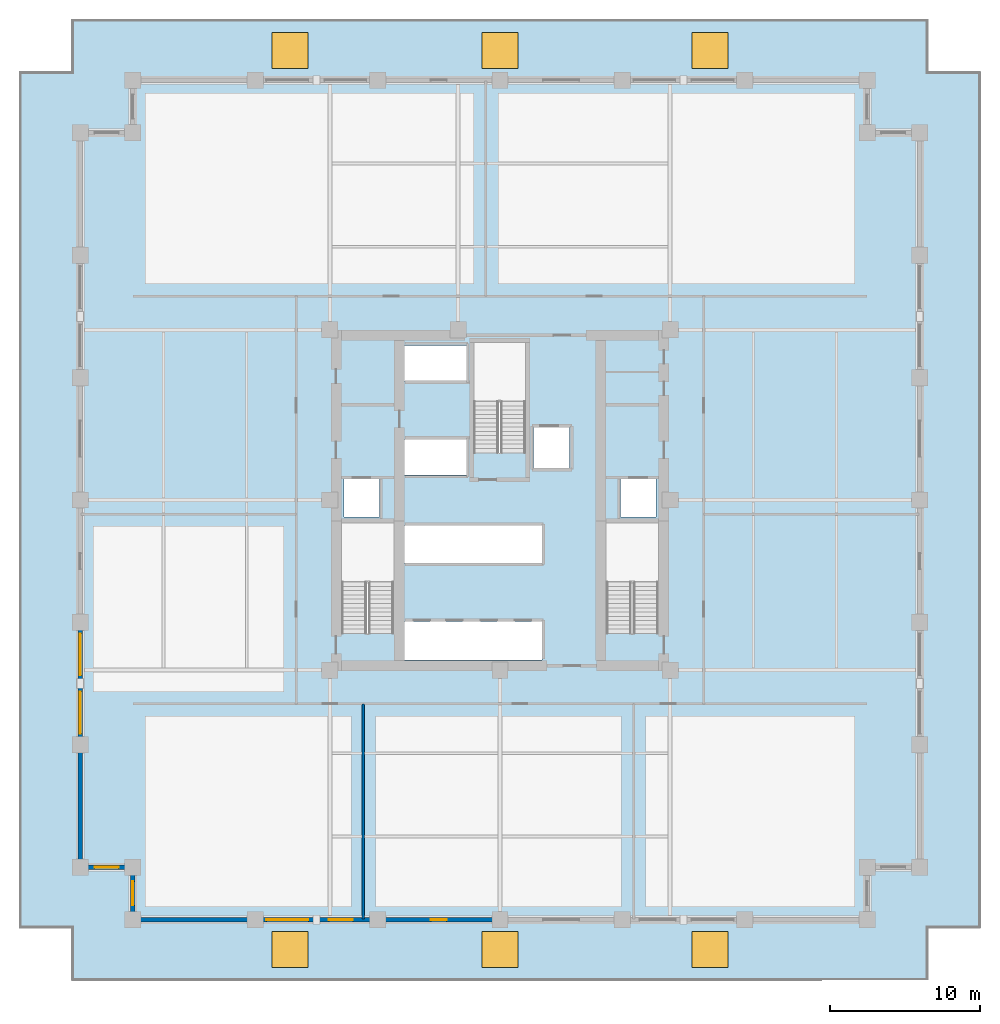
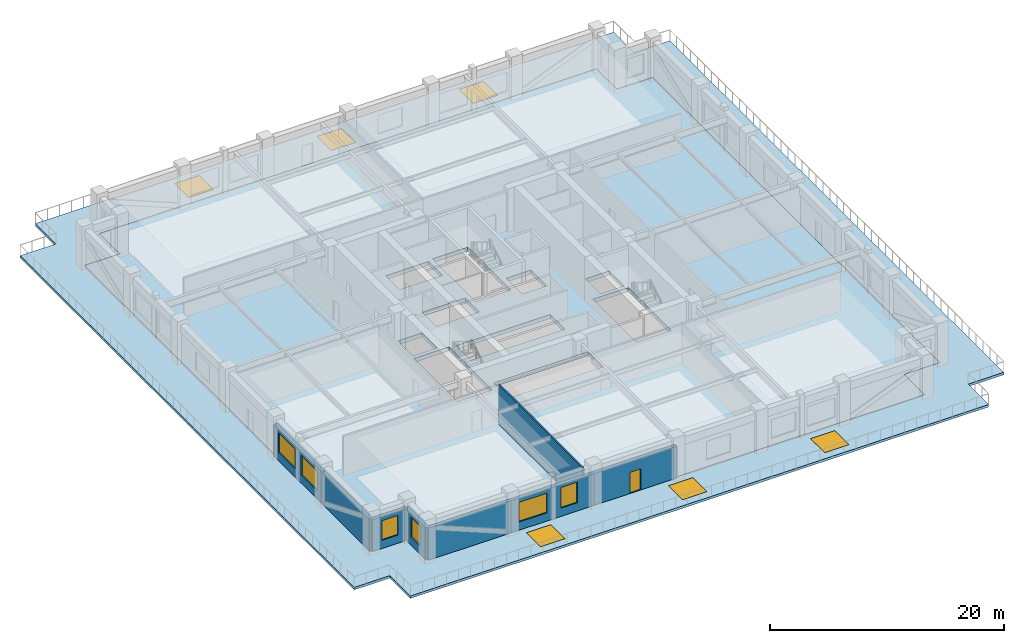
# One storey, part 2 of 13: 12 windows, 8 walls, 2 slabs, 1 door, 13 openings.
"""IFC4 building model written with IfcOpenShell, lengths in metres."""

from ifc_helpers import new_model, si_unit, direction, frame, frame_2d, origin, origin_2d, place, context, subcontext, project, spatial, polyline, rectangle, outline, extrude, material, layer, layer_set, type_object, element, fill, save


model = new_model("IFC4")

# Units and contexts
model_context = context("Model", 3, precision=1e-05, world=origin(), true_north=direction((0.0, 1.0)))
body_context = subcontext(model_context, "Body", "Model", "MODEL_VIEW")
ifc_project = project(units=[si_unit("LENGTHUNIT", "METRE"), si_unit("AREAUNIT", "SQUARE_METRE"), si_unit("VOLUMEUNIT", "CUBIC_METRE"), si_unit("PLANEANGLEUNIT", "RADIAN"), si_unit("MASSUNIT", "GRAM", prefix="KILO")], contexts=[model_context])

# Site, building, storey
site_placement = place(None, origin())
site = spatial("IfcSite", under=ifc_project, at=site_placement, CompositionType="ELEMENT")
building_placement = place(site_placement, origin())
building = spatial("IfcBuilding", under=site, at=building_placement, Name="Nhamokura Convention Tower", CompositionType="ELEMENT")
storey_placement = place(building_placement, frame((0.0, 0.0, 34.300048828125)))
storey = spatial("IfcBuildingStorey", under=building, at=storey_placement, Name="L06", CompositionType="ELEMENT", Elevation=34.300048828125)

# Slab, openings, windows
ifc_material_1 = material(Name="Concrete C40/50", Category="concrete")
ifc_layer_1 = layer(ifc_material_1, 0.25)
ifc_layer_set_1 = layer_set([ifc_layer_1], Name="TerraceRoofSlab_250")
slab_type_1 = type_object("IfcSlabType", Name="TerraceRoofSlab_250", PredefinedType="ROOF", material=ifc_layer_set_1)
slab_1_placement = place(storey_placement, frame((0.0, 0.0, -0.25)))
slab_1 = element("IfcSlab", 1, at=slab_1_placement, inside=storey, type_object=slab_type_1, Name="L06 Setback Terrace Roof Slab", PredefinedType="ROOF", context=body_context, shape_type="SweptSolid", body=[
    extrude(outline(polyline([(3.5, 0.0), (60.5, 0.0), (60.5, 3.5), (64.0, 3.5), (64.0, 60.5), (60.5, 60.5), (60.5, 64.0), (3.5, 64.0), (3.5, 60.5), (0.0, 60.5), (0.0, 3.5), (3.5, 3.5), (3.5, 0.0)]), holes=[polyline([(7.5, 4.0), (56.5, 4.0), (56.5, 7.5), (60.0, 7.5), (60.0, 56.5), (56.5, 56.5), (56.5, 60.0), (7.5, 60.0), (7.5, 56.5), (4.0, 56.5), (4.0, 7.5), (7.5, 7.5), (7.5, 4.0)])]), origin(), (0.0, 0.0, 1.0), 0.25),
])
opening_1_placement = place(slab_1_placement, frame((18.0, 2.0, 0.0)))
opening_1 = element("IfcOpeningElement", 2, at=opening_1_placement, cuts=slab_1, Name="Opening SK-01", PredefinedType="OPENING", context=body_context, shape_type="SweptSolid", body=[
    extrude(rectangle(XDim=2.39990234375, YDim=2.39990234375, at=origin_2d()), origin(), (0.0, 0.0, 1.0), 0.25),
])
opening_2_placement = place(slab_1_placement, frame((32.0, 2.0, 0.0)))
opening_2 = element("IfcOpeningElement", 3, at=opening_2_placement, cuts=slab_1, Name="Opening SK-01", PredefinedType="OPENING", context=body_context, shape_type="SweptSolid", body=[
    extrude(rectangle(XDim=2.39990234375, YDim=2.39990234375, at=origin_2d()), origin(), (0.0, 0.0, 1.0), 0.25),
])
opening_3_placement = place(slab_1_placement, frame((46.0, 2.0, 0.0)))
opening_3 = element("IfcOpeningElement", 4, at=opening_3_placement, cuts=slab_1, Name="Opening SK-01", PredefinedType="OPENING", context=body_context, shape_type="SweptSolid", body=[
    extrude(rectangle(XDim=2.39990234375, YDim=2.39990234375, at=origin_2d()), origin(), (0.0, 0.0, 1.0), 0.25),
])
opening_4_placement = place(slab_1_placement, frame((18.0, 62.0, 0.0)))
opening_4 = element("IfcOpeningElement", 5, at=opening_4_placement, cuts=slab_1, Name="Opening SK-01", PredefinedType="OPENING", context=body_context, shape_type="SweptSolid", body=[
    extrude(rectangle(XDim=2.39990234375, YDim=2.39990234375, at=origin_2d()), origin(), (0.0, 0.0, 1.0), 0.25),
])
opening_5_placement = place(slab_1_placement, frame((32.0, 62.0, 0.0)))
opening_5 = element("IfcOpeningElement", 6, at=opening_5_placement, cuts=slab_1, Name="Opening SK-01", PredefinedType="OPENING", context=body_context, shape_type="SweptSolid", body=[
    extrude(rectangle(XDim=2.39990234375, YDim=2.39990234375, at=origin_2d()), origin(), (0.0, 0.0, 1.0), 0.25),
])
opening_6_placement = place(slab_1_placement, frame((46.0, 62.0, 0.0)))
opening_6 = element("IfcOpeningElement", 7, at=opening_6_placement, cuts=slab_1, Name="Opening SK-01", PredefinedType="OPENING", context=body_context, shape_type="SweptSolid", body=[
    extrude(rectangle(XDim=2.39990234375, YDim=2.39990234375, at=origin_2d()), origin(), (0.0, 0.0, 1.0), 0.25),
])
ifc_material_2 = material(Name="Solar-control bronze low-E double glass", Category="glass")
window_type_1 = type_object("IfcWindowType", Name="PodiumTerraceSkylight_2400", PartitioningType="SINGLE_PANEL", PredefinedType="SKYLIGHT", material=ifc_material_2)
window_1_placement = place(opening_1_placement, frame((0.0, 0.0, 0.199951171875)))
window_1 = element("IfcWindow", 8, at=window_1_placement, inside=storey, type_object=window_type_1, Name="L06 Podium Roof Skylight 01", OverallHeight=2.39990234375, OverallWidth=2.39990234375, PartitioningType="SINGLE_PANEL", PredefinedType="SKYLIGHT", context=body_context, shape_type="SweptSolid", body=[
    extrude(rectangle(XDim=2.39990234375, YDim=2.39990234375, at=origin_2d()), origin(), (0.0, 0.0, 1.0), 0.050048828125),
])
fill(opening_1, window_1)
window_2_placement = place(opening_2_placement, frame((0.0, 0.0, 0.199951171875)))
window_2 = element("IfcWindow", 9, at=window_2_placement, inside=storey, type_object=window_type_1, Name="L06 Podium Roof Skylight 02", OverallHeight=2.39990234375, OverallWidth=2.39990234375, PartitioningType="SINGLE_PANEL", PredefinedType="SKYLIGHT", context=body_context, shape_type="SweptSolid", body=[
    extrude(rectangle(XDim=2.39990234375, YDim=2.39990234375, at=origin_2d()), origin(), (0.0, 0.0, 1.0), 0.050048828125),
])
fill(opening_2, window_2)
window_3_placement = place(opening_3_placement, frame((0.0, 0.0, 0.199951171875)))
window_3 = element("IfcWindow", 10, at=window_3_placement, inside=storey, type_object=window_type_1, Name="L06 Podium Roof Skylight 03", OverallHeight=2.39990234375, OverallWidth=2.39990234375, PartitioningType="SINGLE_PANEL", PredefinedType="SKYLIGHT", context=body_context, shape_type="SweptSolid", body=[
    extrude(rectangle(XDim=2.39990234375, YDim=2.39990234375, at=origin_2d()), origin(), (0.0, 0.0, 1.0), 0.050048828125),
])
fill(opening_3, window_3)
window_4_placement = place(opening_4_placement, frame((0.0, 0.0, 0.199951171875)))
window_4 = element("IfcWindow", 11, at=window_4_placement, inside=storey, type_object=window_type_1, Name="L06 Podium Roof Skylight 04", OverallHeight=2.39990234375, OverallWidth=2.39990234375, PartitioningType="SINGLE_PANEL", PredefinedType="SKYLIGHT", context=body_context, shape_type="SweptSolid", body=[
    extrude(rectangle(XDim=2.39990234375, YDim=2.39990234375, at=origin_2d()), origin(), (0.0, 0.0, 1.0), 0.050048828125),
])
fill(opening_4, window_4)
window_5_placement = place(opening_5_placement, frame((0.0, 0.0, 0.199951171875)))
window_5 = element("IfcWindow", 12, at=window_5_placement, inside=storey, type_object=window_type_1, Name="L06 Podium Roof Skylight 05", OverallHeight=2.39990234375, OverallWidth=2.39990234375, PartitioningType="SINGLE_PANEL", PredefinedType="SKYLIGHT", context=body_context, shape_type="SweptSolid", body=[
    extrude(rectangle(XDim=2.39990234375, YDim=2.39990234375, at=origin_2d()), origin(), (0.0, 0.0, 1.0), 0.050048828125),
])
fill(opening_5, window_5)
window_6_placement = place(opening_6_placement, frame((0.0, 0.0, 0.199951171875)))
window_6 = element("IfcWindow", 13, at=window_6_placement, inside=storey, type_object=window_type_1, Name="L06 Podium Roof Skylight 06", OverallHeight=2.39990234375, OverallWidth=2.39990234375, PartitioningType="SINGLE_PANEL", PredefinedType="SKYLIGHT", context=body_context, shape_type="SweptSolid", body=[
    extrude(rectangle(XDim=2.39990234375, YDim=2.39990234375, at=origin_2d()), origin(), (0.0, 0.0, 1.0), 0.050048828125),
])
fill(opening_6, window_6)

# Slab
ifc_material_3 = material(Name="Concrete C50/60", Category="concrete")
ifc_layer_2 = layer(ifc_material_3, 0.419921875)
ifc_layer_set_2 = layer_set([ifc_layer_2], Name="TransferDeckSlab_380")
slab_type_2 = type_object("IfcSlabType", Name="TransferDeckSlab_380", PredefinedType="FLOOR", material=ifc_layer_set_2)
slab_2_placement = place(storey_placement, frame((0.0, 0.0, -0.420166015625)))
element("IfcSlab", 14, at=slab_2_placement, inside=storey, type_object=slab_type_2, Name="L06 Structural Floor Slab", PredefinedType="FLOOR", context=body_context, shape_type="SweptSolid", body=[
    extrude(outline(polyline([(7.5, 4.0), (56.5, 4.0), (56.5, 7.5), (60.0, 7.5), (60.0, 56.5), (56.5, 56.5), (56.5, 60.0), (7.5, 60.0), (7.5, 56.5), (4.0, 56.5), (4.0, 7.5), (7.5, 7.5), (7.5, 4.0)]), holes=[polyline([(24.89990234375, 23.10009765625), (24.89990234375, 30.449951171875), (21.449951171875, 30.449951171875), (21.449951171875, 23.10009765625), (24.89990234375, 23.10009765625)]), polyline([(42.550048828125, 23.10009765625), (42.550048828125, 30.449951171875), (39.10009765625, 30.449951171875), (39.10009765625, 23.10009765625), (42.550048828125, 23.10009765625)]), polyline([(33.699951171875, 35.14990234375), (33.699951171875, 42.5), (30.25, 42.5), (30.25, 35.14990234375), (33.699951171875, 35.14990234375)]), polyline([(21.60009765625, 30.85009765625), (23.949951171875, 30.85009765625), (23.949951171875, 33.39990234375), (21.60009765625, 33.39990234375), (21.60009765625, 30.85009765625)]), polyline([(40.050048828125, 30.85009765625), (42.39990234375, 30.85009765625), (42.39990234375, 33.39990234375), (40.050048828125, 33.39990234375), (40.050048828125, 30.85009765625)]), polyline([(34.25, 34.14990234375), (36.64990234375, 34.14990234375), (36.64990234375, 36.85009765625), (34.25, 36.85009765625), (34.25, 34.14990234375)]), polyline([(25.52001953125, 21.320068359375), (34.800048828125, 21.320068359375), (34.800048828125, 23.89990234375), (25.52001953125, 23.89990234375), (25.52001953125, 21.320068359375)]), polyline([(25.52001953125, 27.800048828125), (34.800048828125, 27.800048828125), (34.800048828125, 30.300048828125), (25.52001953125, 30.300048828125), (25.52001953125, 27.800048828125)]), polyline([(25.52001953125, 33.679931640625), (29.75, 33.679931640625), (29.75, 36.050048828125), (25.52001953125, 36.050048828125), (25.52001953125, 33.679931640625)]), polyline([(25.52001953125, 39.949951171875), (29.75, 39.949951171875), (29.75, 42.320068359375), (25.52001953125, 42.320068359375), (25.52001953125, 39.949951171875)])]), origin(), (0.0, 0.0, 1.0), 0.420166015625),
])

# Wall
ifc_material_4 = material(Name="Bronze-pigmented precast concrete C45/55", Category="concrete")
ifc_layer_3 = layer(ifc_material_4, 0.320068359375)
ifc_layer_set_3 = layer_set([ifc_layer_3], Name="BronzePrecastSpandrel_320")
wall_type_1 = type_object("IfcWallType", Name="BronzePrecastSpandrel_320", PredefinedType="USERDEFINED", material=ifc_layer_set_3)
wall_1_placement = place(storey_placement, frame((15.666748046875, 4.0, 0.0), z_axis=(0.0, 0.0, 1.0), x_axis=(-1.0, 0.0, 0.0)))
element("IfcWall", 15, at=wall_1_placement, inside=storey, type_object=wall_type_1, Name="L06 Braced-Bay Precast Wall SOUTH 0", ObjectType="SPANDREL_WALL", PredefinedType="USERDEFINED", context=body_context, shape_type="SweptSolid", body=[
    extrude(rectangle(XDim=8.166748046875, YDim=0.320068359375, at=frame_2d((4.08349609375, 0.0))), origin(), (0.0, 0.0, 1.0), 3.329833984375),
])

# Wall, openings, windows
wall_2_placement = place(storey_placement, frame((23.833251953125, 4.0, 0.0), z_axis=(0.0, 0.0, 1.0), x_axis=(-1.0, 0.0, 0.0)))
wall_2 = element("IfcWall", 16, at=wall_2_placement, inside=storey, type_object=wall_type_1, Name="L06 Masonry-Frame Wall SOUTH 1", ObjectType="SPANDREL_WALL", PredefinedType="USERDEFINED", context=body_context, shape_type="SweptSolid", body=[
    extrude(rectangle(XDim=8.16650390625, YDim=0.320068359375, at=frame_2d((4.083251953125, 0.0))), origin(), (0.0, 0.0, 1.0), 3.329833984375),
])
opening_7_placement = place(wall_2_placement, frame((1.654296875, 0.0, 0.85009765625)))
opening_7 = element("IfcOpeningElement", 17, at=opening_7_placement, cuts=wall_2, Name="Opening W-11", PredefinedType="OPENING", context=body_context, shape_type="SweptSolid", body=[
    extrude(rectangle(XDim=1.60009765625, YDim=2.14990234375, at=frame_2d((0.800048828125, 1.074951171875))), frame((0.0, 0.169921875, 0.0), z_axis=(0.0, -1.0, 0.0), x_axis=(1.0, 0.0, 0.0)), (0.0, 0.0, 1.0), 0.340087890625),
])
opening_8_placement = place(wall_2_placement, frame((4.625, 0.0, 0.85009765625)))
opening_8 = element("IfcOpeningElement", 18, at=opening_8_placement, cuts=wall_2, Name="Opening W-04", PredefinedType="OPENING", context=body_context, shape_type="SweptSolid", body=[
    extrude(rectangle(XDim=2.800048828125, YDim=2.050048828125, at=frame_2d((1.39990234375, 1.02490234375))), frame((0.0, 0.169921875, 0.0), z_axis=(0.0, -1.0, 0.0), x_axis=(1.0, 0.0, 0.0)), (0.0, 0.0, 1.0), 0.340087890625),
])
ifc_material_5 = material(Name="Solar-control bronze low-E double glass", Category="glass")
window_type_2 = type_object("IfcWindowType", Name="HotelSuiteWindow_2800", PartitioningType="DOUBLE_PANEL_VERTICAL", PredefinedType="WINDOW", material=ifc_material_5)
window_7_placement = place(opening_8_placement, origin())
window_7 = element("IfcWindow", 19, at=window_7_placement, inside=storey, type_object=window_type_2, Name="L06 Facade Window SOUTH 1-2", OverallHeight=2.050048828125, OverallWidth=2.800048828125, PartitioningType="SINGLE_PANEL", PredefinedType="WINDOW", context=body_context, shape_type="SweptSolid", body=[
    extrude(rectangle(XDim=2.800048828125, YDim=2.050048828125, at=frame_2d((1.39990234375, 1.02490234375))), frame((0.0, 0.030029296875, 0.0), z_axis=(0.0, -1.0, 0.0), x_axis=(1.0, 0.0, 0.0)), (0.0, 0.0, 1.0), 0.06005859375),
])
fill(opening_8, window_7)
ifc_material_6 = material(Name="Solar-control bronze low-E double glass", Category="glass")
window_type_3 = type_object("IfcWindowType", Name="NotchCornerWindow_1600", PartitioningType="SINGLE_PANEL", PredefinedType="WINDOW", material=ifc_material_6)
window_8_placement = place(opening_7_placement, origin())
window_8 = element("IfcWindow", 20, at=window_8_placement, inside=storey, type_object=window_type_3, Name="L06 Facade Window SOUTH 1-1", OverallHeight=2.14990234375, OverallWidth=1.60009765625, PartitioningType="SINGLE_PANEL", PredefinedType="WINDOW", context=body_context, shape_type="SweptSolid", body=[
    extrude(rectangle(XDim=1.60009765625, YDim=2.14990234375, at=frame_2d((0.800048828125, 1.074951171875))), frame((0.0, 0.030029296875, 0.0), z_axis=(0.0, -1.0, 0.0), x_axis=(1.0, 0.0, 0.0)), (0.0, 0.0, 1.0), 0.06005859375),
])
fill(opening_7, window_8)

# Wall, opening, door
wall_3_placement = place(storey_placement, frame((32.0, 4.0, 0.0), z_axis=(0.0, 0.0, 1.0), x_axis=(-1.0, 0.0, 0.0)))
wall_3 = element("IfcWall", 21, at=wall_3_placement, inside=storey, type_object=wall_type_1, Name="L06 Masonry-Frame Wall SOUTH 2", ObjectType="SPANDREL_WALL", PredefinedType="USERDEFINED", context=body_context, shape_type="SweptSolid", body=[
    extrude(rectangle(XDim=8.166748046875, YDim=0.320068359375, at=frame_2d((4.08349609375, 0.0))), origin(), (0.0, 0.0, 1.0), 3.329833984375),
])
opening_9_placement = place(wall_3_placement, frame((3.558349609375, 0.0, 0.0)))
opening_9 = element("IfcOpeningElement", 22, at=opening_9_placement, cuts=wall_3, Name="Opening D-06", PredefinedType="OPENING", context=body_context, shape_type="SweptSolid", body=[
    extrude(rectangle(XDim=1.050048828125, YDim=2.199951171875, at=frame_2d((0.52490234375, 1.10009765625))), frame((0.0, 0.169921875, 0.0), z_axis=(0.0, -1.0, 0.0), x_axis=(1.0, 0.0, 0.0)), (0.0, 0.0, 1.0), 0.340087890625),
])
ifc_material_7 = material(Name="Anodised bronze aluminium AA6063-T6", Category="aluminium")
door_type = type_object("IfcDoorType", Name="TerraceAccessDoor_1050", OperationType="NOTDEFINED", PredefinedType="DOOR", material=ifc_material_7)
door_placement = place(opening_9_placement, origin())
door = element("IfcDoor", 23, at=door_placement, inside=storey, type_object=door_type, Name="L06 Setback Terrace Access Door SOUTH", OperationType="SINGLE_SWING_LEFT", OverallHeight=2.199951171875, OverallWidth=1.050048828125, PredefinedType="DOOR", context=body_context, shape_type="SweptSolid", body=[
    extrude(rectangle(XDim=1.050048828125, YDim=2.199951171875, at=frame_2d((0.52490234375, 1.10009765625))), frame((0.0, 0.02490234375, 0.0), z_axis=(0.0, -1.0, 0.0), x_axis=(1.0, 0.0, 0.0)), (0.0, 0.0, 1.0), 0.050048828125),
])
fill(opening_9, door)

# Wall
wall_4_placement = place(storey_placement, frame((4.0, 7.5, 0.0), z_axis=(0.0, 0.0, 1.0), x_axis=(0.0, 1.0, 0.0)))
element("IfcWall", 24, at=wall_4_placement, inside=storey, type_object=wall_type_1, Name="L06 Braced-Bay Precast Wall WEST 0", ObjectType="SPANDREL_WALL", PredefinedType="USERDEFINED", context=body_context, shape_type="SweptSolid", body=[
    extrude(rectangle(XDim=8.166748046875, YDim=0.320068359375, at=frame_2d((4.08349609375, 0.0))), origin(), (0.0, 0.0, 1.0), 3.329833984375),
])

# Wall, openings, windows
wall_5_placement = place(storey_placement, frame((4.0, 15.666748046875, 0.0), z_axis=(0.0, 0.0, 1.0), x_axis=(0.0, 1.0, 0.0)))
wall_5 = element("IfcWall", 25, at=wall_5_placement, inside=storey, type_object=wall_type_1, Name="L06 Masonry-Frame Wall WEST 1", ObjectType="SPANDREL_WALL", PredefinedType="USERDEFINED", context=body_context, shape_type="SweptSolid", body=[
    extrude(rectangle(XDim=8.16650390625, YDim=0.320068359375, at=frame_2d((4.083251953125, 0.0))), origin(), (0.0, 0.0, 1.0), 3.329833984375),
])
opening_10_placement = place(wall_5_placement, frame((0.74169921875, 0.0, 0.85009765625)))
opening_10 = element("IfcOpeningElement", 26, at=opening_10_placement, cuts=wall_5, Name="Opening W-04", PredefinedType="OPENING", context=body_context, shape_type="SweptSolid", body=[
    extrude(rectangle(XDim=2.800048828125, YDim=2.050048828125, at=frame_2d((1.39990234375, 1.02490234375))), frame((0.0, 0.169921875, 0.0), z_axis=(0.0, -1.0, 0.0), x_axis=(1.0, 0.0, 0.0)), (0.0, 0.0, 1.0), 0.340087890625),
])
opening_11_placement = place(wall_5_placement, frame((4.625, 0.0, 0.85009765625)))
opening_11 = element("IfcOpeningElement", 27, at=opening_11_placement, cuts=wall_5, Name="Opening W-04", PredefinedType="OPENING", context=body_context, shape_type="SweptSolid", body=[
    extrude(rectangle(XDim=2.800048828125, YDim=2.050048828125, at=frame_2d((1.39990234375, 1.02490234375))), frame((0.0, 0.169921875, 0.0), z_axis=(0.0, -1.0, 0.0), x_axis=(1.0, 0.0, 0.0)), (0.0, 0.0, 1.0), 0.340087890625),
])
window_9_placement = place(opening_10_placement, origin())
window_9 = element("IfcWindow", 28, at=window_9_placement, inside=storey, type_object=window_type_2, Name="L06 Facade Window WEST 1-1", OverallHeight=2.050048828125, OverallWidth=2.800048828125, PartitioningType="SINGLE_PANEL", PredefinedType="WINDOW", context=body_context, shape_type="SweptSolid", body=[
    extrude(rectangle(XDim=2.800048828125, YDim=2.050048828125, at=frame_2d((1.39990234375, 1.02490234375))), frame((0.0, 0.030029296875, 0.0), z_axis=(0.0, -1.0, 0.0), x_axis=(1.0, 0.0, 0.0)), (0.0, 0.0, 1.0), 0.06005859375),
])
fill(opening_10, window_9)
window_10_placement = place(opening_11_placement, origin())
window_10 = element("IfcWindow", 29, at=window_10_placement, inside=storey, type_object=window_type_2, Name="L06 Facade Window WEST 1-2", OverallHeight=2.050048828125, OverallWidth=2.800048828125, PartitioningType="SINGLE_PANEL", PredefinedType="WINDOW", context=body_context, shape_type="SweptSolid", body=[
    extrude(rectangle(XDim=2.800048828125, YDim=2.050048828125, at=frame_2d((1.39990234375, 1.02490234375))), frame((0.0, 0.030029296875, 0.0), z_axis=(0.0, -1.0, 0.0), x_axis=(1.0, 0.0, 0.0)), (0.0, 0.0, 1.0), 0.06005859375),
])
fill(opening_11, window_10)

# Wall, opening, window
wall_6_placement = place(storey_placement, frame((7.5, 4.0, 0.0), z_axis=(0.0, 0.0, 1.0), x_axis=(0.0, 1.0, 0.0)))
wall_6 = element("IfcWall", 30, at=wall_6_placement, inside=storey, type_object=wall_type_1, Name="L06 Notched Corner Wall SW1", ObjectType="SPANDREL_WALL", PredefinedType="USERDEFINED", context=body_context, shape_type="SweptSolid", body=[
    extrude(rectangle(XDim=3.5, YDim=0.320068359375, at=frame_2d((1.75, 0.0))), origin(), (0.0, 0.0, 1.0), 3.329833984375),
])
opening_12_placement = place(wall_6_placement, frame((0.949951171875, 0.0, 0.85009765625)))
opening_12 = element("IfcOpeningElement", 31, at=opening_12_placement, cuts=wall_6, Name="Opening W-11", PredefinedType="OPENING", context=body_context, shape_type="SweptSolid", body=[
    extrude(rectangle(XDim=1.60009765625, YDim=2.050048828125, at=frame_2d((0.800048828125, 1.02490234375))), frame((0.0, 0.169921875, 0.0), z_axis=(0.0, -1.0, 0.0), x_axis=(1.0, 0.0, 0.0)), (0.0, 0.0, 1.0), 0.340087890625),
])
window_11_placement = place(opening_12_placement, origin())
window_11 = element("IfcWindow", 32, at=window_11_placement, inside=storey, type_object=window_type_3, Name="L06 Notched Corner Window SW1", OverallHeight=2.050048828125, OverallWidth=1.60009765625, PartitioningType="SINGLE_PANEL", PredefinedType="WINDOW", context=body_context, shape_type="SweptSolid", body=[
    extrude(rectangle(XDim=1.60009765625, YDim=2.050048828125, at=frame_2d((0.800048828125, 1.02490234375))), frame((0.0, 0.030029296875, 0.0), z_axis=(0.0, -1.0, 0.0), x_axis=(1.0, 0.0, 0.0)), (0.0, 0.0, 1.0), 0.06005859375),
])
fill(opening_12, window_11)

wall_7_placement = place(storey_placement, frame((7.5, 7.5, 0.0), z_axis=(0.0, 0.0, 1.0), x_axis=(-1.0, 0.0, 0.0)))
wall_7 = element("IfcWall", 33, at=wall_7_placement, inside=storey, type_object=wall_type_1, Name="L06 Notched Corner Wall SW2", ObjectType="SPANDREL_WALL", PredefinedType="USERDEFINED", context=body_context, shape_type="SweptSolid", body=[
    extrude(rectangle(XDim=3.5, YDim=0.320068359375, at=frame_2d((1.75, 0.0))), origin(), (0.0, 0.0, 1.0), 3.329833984375),
])
opening_13_placement = place(wall_7_placement, frame((0.949951171875, 0.0, 0.85009765625)))
opening_13 = element("IfcOpeningElement", 34, at=opening_13_placement, cuts=wall_7, Name="Opening W-11", PredefinedType="OPENING", context=body_context, shape_type="SweptSolid", body=[
    extrude(rectangle(XDim=1.60009765625, YDim=2.050048828125, at=frame_2d((0.800048828125, 1.02490234375))), frame((0.0, 0.169921875, 0.0), z_axis=(0.0, -1.0, 0.0), x_axis=(1.0, 0.0, 0.0)), (0.0, 0.0, 1.0), 0.340087890625),
])
window_12_placement = place(opening_13_placement, origin())
window_12 = element("IfcWindow", 35, at=window_12_placement, inside=storey, type_object=window_type_3, Name="L06 Notched Corner Window SW2", OverallHeight=2.050048828125, OverallWidth=1.60009765625, PartitioningType="SINGLE_PANEL", PredefinedType="WINDOW", context=body_context, shape_type="SweptSolid", body=[
    extrude(rectangle(XDim=1.60009765625, YDim=2.050048828125, at=frame_2d((0.800048828125, 1.02490234375))), frame((0.0, 0.030029296875, 0.0), z_axis=(0.0, -1.0, 0.0), x_axis=(1.0, 0.0, 0.0)), (0.0, 0.0, 1.0), 0.06005859375),
])
fill(opening_13, window_12)

# Wall
ifc_material_8 = material(Name="Acoustic gypsum stud partition", Category="masonry")
ifc_layer_4 = layer(ifc_material_8, 0.14990234375)
ifc_layer_set_4 = layer_set([ifc_layer_4], Name="InteriorPartition_150")
wall_type_2 = type_object("IfcWallType", Name="InteriorPartition_150", PredefinedType="STANDARD", material=ifc_layer_set_4)
wall_8_placement = place(storey_placement, frame((22.88330078125, 4.06005859375, 0.0), z_axis=(0.0, 0.0, 1.0), x_axis=(0.0, 1.0, 0.0)))
element("IfcWall", 36, at=wall_8_placement, inside=storey, type_object=wall_type_2, Name="L06 Wall INT-L06-RW-S01", PredefinedType="STANDARD", context=body_context, shape_type="SweptSolid", body=[
    extrude(rectangle(XDim=14.33984375, YDim=0.14990234375, at=frame_2d((7.169921875, 0.0))), origin(), (0.0, 0.0, 1.0), 4.1298828125),
])

save(model, "model.ifc")
